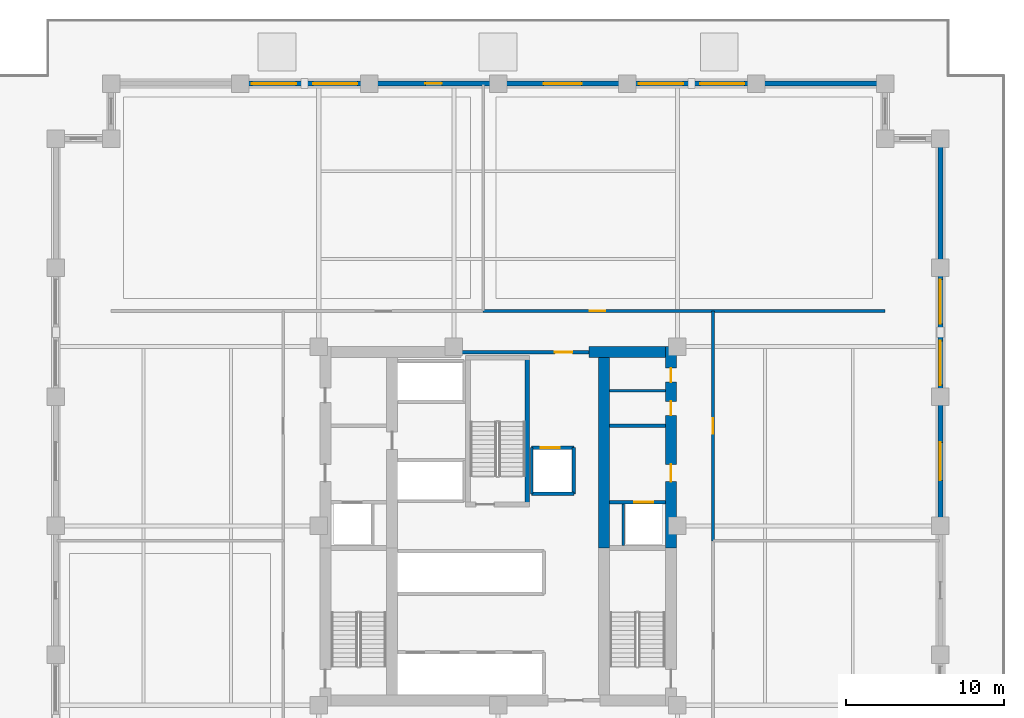
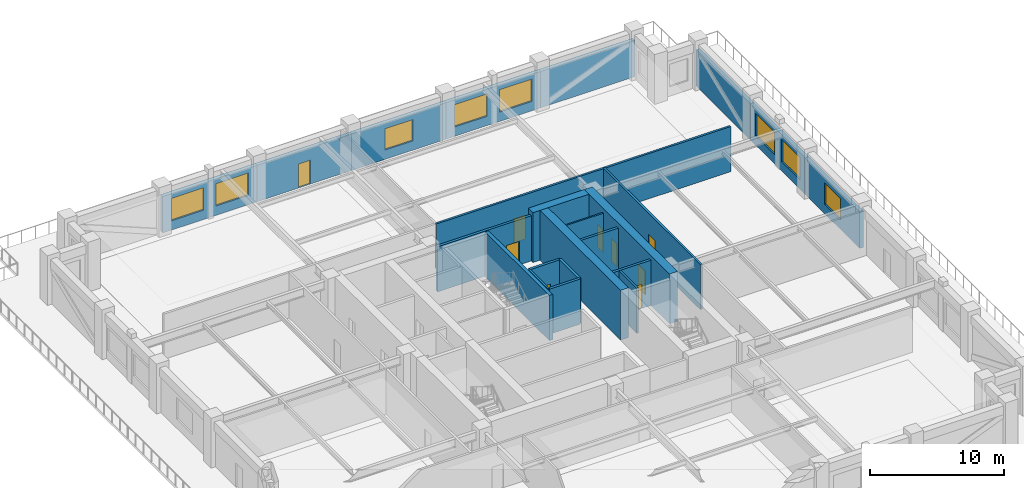
# One storey, part 5 of 13: 23 walls, 9 doors, 8 windows, 17 openings.
"""IFC4 building model written with IfcOpenShell, lengths in metres."""

from ifc_helpers import new_model, si_unit, direction, frame, frame_2d, origin, place, context, subcontext, project, spatial, rectangle, extrude, material, layer, layer_set, type_object, element, fill, save


model = new_model("IFC4")

# Units and contexts
model_context = context("Model", 3, precision=1e-05, world=origin(), true_north=direction((0.0, 1.0)))
body_context = subcontext(model_context, "Body", "Model", "MODEL_VIEW")
ifc_project = project(units=[si_unit("LENGTHUNIT", "METRE"), si_unit("AREAUNIT", "SQUARE_METRE"), si_unit("VOLUMEUNIT", "CUBIC_METRE"), si_unit("PLANEANGLEUNIT", "RADIAN"), si_unit("MASSUNIT", "GRAM", prefix="KILO")], contexts=[model_context])

# Site, building, storey
site_placement = place(None, origin())
site = spatial("IfcSite", under=ifc_project, at=site_placement, CompositionType="ELEMENT")
building_placement = place(site_placement, origin())
building = spatial("IfcBuilding", under=site, at=building_placement, Name="Nhamokura Convention Tower", CompositionType="ELEMENT")
storey_placement = place(building_placement, frame((0.0, 0.0, 34.300048828125)))
storey = spatial("IfcBuildingStorey", under=building, at=storey_placement, Name="L06", CompositionType="ELEMENT", Elevation=34.300048828125)

# Wall
ifc_material_1 = material(Name="Moisture-resistant tile-backer partition", Category="masonry")
ifc_layer_1 = layer(ifc_material_1, 0.139892578125)
ifc_layer_set_1 = layer_set([ifc_layer_1], Name="BathroomWetWall_140")
wall_type_1 = type_object("IfcWallType", Name="BathroomWetWall_140", PredefinedType="STANDARD", material=ifc_layer_set_1)
wall_1_placement = place(storey_placement, frame((39.06005859375, 40.550048828125, 0.0), z_axis=(0.0, 0.0, 1.0), x_axis=(1.0, 0.0, 0.0)))
element("IfcWall", 1, at=wall_1_placement, inside=storey, type_object=wall_type_1, Name="L06 Wall INT-L06-CWNE", PredefinedType="STANDARD", context=body_context, shape_type="SweptSolid", body=[
    extrude(rectangle(XDim=3.530029296875, YDim=0.139892578125, at=frame_2d((1.76513671875, 0.0))), origin(), (0.0, 0.0, 1.0), 4.1298828125),
])

# Wall, openings, windows
ifc_material_2 = material(Name="Bronze-pigmented precast concrete C45/55", Category="concrete")
ifc_layer_2 = layer(ifc_material_2, 0.320068359375)
ifc_layer_set_2 = layer_set([ifc_layer_2], Name="BronzePrecastSpandrel_320")
wall_type_2 = type_object("IfcWallType", Name="BronzePrecastSpandrel_320", PredefinedType="USERDEFINED", material=ifc_layer_set_2)
wall_2_placement = place(storey_placement, frame((15.666748046875, 60.0, 0.0), z_axis=(0.0, 0.0, 1.0), x_axis=(1.0, 0.0, 0.0)))
wall_2 = element("IfcWall", 2, at=wall_2_placement, inside=storey, type_object=wall_type_2, Name="L06 Masonry-Frame Wall NORTH 1", ObjectType="SPANDREL_WALL", PredefinedType="USERDEFINED", context=body_context, shape_type="SweptSolid", body=[
    extrude(rectangle(XDim=8.16650390625, YDim=0.320068359375, at=frame_2d((4.083251953125, 0.0))), origin(), (0.0, 0.0, 1.0), 3.329833984375),
])
opening_1_placement = place(wall_2_placement, frame((0.74169921875, 0.0, 0.85009765625)))
opening_1 = element("IfcOpeningElement", 3, at=opening_1_placement, cuts=wall_2, Name="Opening W-04", PredefinedType="OPENING", context=body_context, shape_type="SweptSolid", body=[
    extrude(rectangle(XDim=2.800048828125, YDim=2.050048828125, at=frame_2d((1.39990234375, 1.02490234375))), frame((0.0, 0.169921875, 0.0), z_axis=(0.0, -1.0, 0.0), x_axis=(1.0, 0.0, 0.0)), (0.0, 0.0, 1.0), 0.340087890625),
])
opening_2_placement = place(wall_2_placement, frame((4.625, 0.0, 0.85009765625)))
opening_2 = element("IfcOpeningElement", 4, at=opening_2_placement, cuts=wall_2, Name="Opening W-04", PredefinedType="OPENING", context=body_context, shape_type="SweptSolid", body=[
    extrude(rectangle(XDim=2.800048828125, YDim=2.050048828125, at=frame_2d((1.39990234375, 1.02490234375))), frame((0.0, 0.169921875, 0.0), z_axis=(0.0, -1.0, 0.0), x_axis=(1.0, 0.0, 0.0)), (0.0, 0.0, 1.0), 0.340087890625),
])
ifc_material_3 = material(Name="Solar-control bronze low-E double glass", Category="glass")
window_type_1 = type_object("IfcWindowType", Name="HotelSuiteWindow_2800", PartitioningType="DOUBLE_PANEL_VERTICAL", PredefinedType="WINDOW", material=ifc_material_3)
window_1_placement = place(opening_1_placement, origin())
window_1 = element("IfcWindow", 5, at=window_1_placement, inside=storey, type_object=window_type_1, Name="L06 Facade Window NORTH 1-1", OverallHeight=2.050048828125, OverallWidth=2.800048828125, PartitioningType="SINGLE_PANEL", PredefinedType="WINDOW", context=body_context, shape_type="SweptSolid", body=[
    extrude(rectangle(XDim=2.800048828125, YDim=2.050048828125, at=frame_2d((1.39990234375, 1.02490234375))), frame((0.0, 0.030029296875, 0.0), z_axis=(0.0, -1.0, 0.0), x_axis=(1.0, 0.0, 0.0)), (0.0, 0.0, 1.0), 0.06005859375),
])
fill(opening_1, window_1)
window_2_placement = place(opening_2_placement, origin())
window_2 = element("IfcWindow", 6, at=window_2_placement, inside=storey, type_object=window_type_1, Name="L06 Facade Window NORTH 1-2", OverallHeight=2.050048828125, OverallWidth=2.800048828125, PartitioningType="SINGLE_PANEL", PredefinedType="WINDOW", context=body_context, shape_type="SweptSolid", body=[
    extrude(rectangle(XDim=2.800048828125, YDim=2.050048828125, at=frame_2d((1.39990234375, 1.02490234375))), frame((0.0, 0.030029296875, 0.0), z_axis=(0.0, -1.0, 0.0), x_axis=(1.0, 0.0, 0.0)), (0.0, 0.0, 1.0), 0.06005859375),
])
fill(opening_2, window_2)

# Wall, opening, door
wall_3_placement = place(storey_placement, frame((23.833251953125, 60.0, 0.0), z_axis=(0.0, 0.0, 1.0), x_axis=(1.0, 0.0, 0.0)))
wall_3 = element("IfcWall", 7, at=wall_3_placement, inside=storey, type_object=wall_type_2, Name="L06 Masonry-Frame Wall NORTH 2", ObjectType="SPANDREL_WALL", PredefinedType="USERDEFINED", context=body_context, shape_type="SweptSolid", body=[
    extrude(rectangle(XDim=8.166748046875, YDim=0.320068359375, at=frame_2d((4.08349609375, 0.0))), origin(), (0.0, 0.0, 1.0), 3.329833984375),
])
opening_3_placement = place(wall_3_placement, frame((3.558349609375, 0.0, 0.0)))
opening_3 = element("IfcOpeningElement", 8, at=opening_3_placement, cuts=wall_3, Name="Opening D-06", PredefinedType="OPENING", context=body_context, shape_type="SweptSolid", body=[
    extrude(rectangle(XDim=1.050048828125, YDim=2.199951171875, at=frame_2d((0.52490234375, 1.10009765625))), frame((0.0, 0.169921875, 0.0), z_axis=(0.0, -1.0, 0.0), x_axis=(1.0, 0.0, 0.0)), (0.0, 0.0, 1.0), 0.340087890625),
])
ifc_material_4 = material(Name="Anodised bronze aluminium AA6063-T6", Category="aluminium")
door_type_1 = type_object("IfcDoorType", Name="TerraceAccessDoor_1050", OperationType="NOTDEFINED", PredefinedType="DOOR", material=ifc_material_4)
door_1_placement = place(opening_3_placement, origin())
door_1 = element("IfcDoor", 9, at=door_1_placement, inside=storey, type_object=door_type_1, Name="L06 Setback Terrace Access Door NORTH", OperationType="SINGLE_SWING_LEFT", OverallHeight=2.199951171875, OverallWidth=1.050048828125, PredefinedType="DOOR", context=body_context, shape_type="SweptSolid", body=[
    extrude(rectangle(XDim=1.050048828125, YDim=2.199951171875, at=frame_2d((0.52490234375, 1.10009765625))), frame((0.0, 0.02490234375, 0.0), z_axis=(0.0, -1.0, 0.0), x_axis=(1.0, 0.0, 0.0)), (0.0, 0.0, 1.0), 0.050048828125),
])
fill(opening_3, door_1)

# Wall, opening, window
wall_4_placement = place(storey_placement, frame((32.0, 60.0, 0.0), z_axis=(0.0, 0.0, 1.0), x_axis=(1.0, 0.0, 0.0)))
wall_4 = element("IfcWall", 10, at=wall_4_placement, inside=storey, type_object=wall_type_2, Name="L06 Masonry-Frame Wall NORTH 3", ObjectType="SPANDREL_WALL", PredefinedType="USERDEFINED", context=body_context, shape_type="SweptSolid", body=[
    extrude(rectangle(XDim=8.166748046875, YDim=0.320068359375, at=frame_2d((4.08349609375, 0.0))), origin(), (0.0, 0.0, 1.0), 3.329833984375),
])
opening_4_placement = place(wall_4_placement, frame((2.88330078125, 0.0, 0.85009765625)))
opening_4 = element("IfcOpeningElement", 11, at=opening_4_placement, cuts=wall_4, Name="Opening W-03", PredefinedType="OPENING", context=body_context, shape_type="SweptSolid", body=[
    extrude(rectangle(XDim=2.39990234375, YDim=1.949951171875, at=frame_2d((1.199951171875, 0.97509765625))), frame((0.0, 0.169921875, 0.0), z_axis=(0.0, -1.0, 0.0), x_axis=(1.0, 0.0, 0.0)), (0.0, 0.0, 1.0), 0.340087890625),
])
ifc_material_5 = material(Name="Solar-control bronze low-E double glass", Category="glass")
window_type_2 = type_object("IfcWindowType", Name="HotelBayWindow_2400", PartitioningType="DOUBLE_PANEL_VERTICAL", PredefinedType="WINDOW", material=ifc_material_5)
window_3_placement = place(opening_4_placement, origin())
window_3 = element("IfcWindow", 12, at=window_3_placement, inside=storey, type_object=window_type_2, Name="L06 Facade Window NORTH 3", OverallHeight=1.949951171875, OverallWidth=2.39990234375, PartitioningType="SINGLE_PANEL", PredefinedType="WINDOW", context=body_context, shape_type="SweptSolid", body=[
    extrude(rectangle(XDim=2.39990234375, YDim=1.949951171875, at=frame_2d((1.199951171875, 0.97509765625))), frame((0.0, 0.030029296875, 0.0), z_axis=(0.0, -1.0, 0.0), x_axis=(1.0, 0.0, 0.0)), (0.0, 0.0, 1.0), 0.06005859375),
])
fill(opening_4, window_3)

# Wall, openings, windows
wall_5_placement = place(storey_placement, frame((40.166748046875, 60.0, 0.0), z_axis=(0.0, 0.0, 1.0), x_axis=(1.0, 0.0, 0.0)))
wall_5 = element("IfcWall", 13, at=wall_5_placement, inside=storey, type_object=wall_type_2, Name="L06 Masonry-Frame Wall NORTH 4", ObjectType="SPANDREL_WALL", PredefinedType="USERDEFINED", context=body_context, shape_type="SweptSolid", body=[
    extrude(rectangle(XDim=8.16650390625, YDim=0.320068359375, at=frame_2d((4.083251953125, 0.0))), origin(), (0.0, 0.0, 1.0), 3.329833984375),
])
opening_5_placement = place(wall_5_placement, frame((0.74169921875, 0.0, 0.85009765625)))
opening_5 = element("IfcOpeningElement", 14, at=opening_5_placement, cuts=wall_5, Name="Opening W-04", PredefinedType="OPENING", context=body_context, shape_type="SweptSolid", body=[
    extrude(rectangle(XDim=2.800048828125, YDim=2.050048828125, at=frame_2d((1.39990234375, 1.02490234375))), frame((0.0, 0.169921875, 0.0), z_axis=(0.0, -1.0, 0.0), x_axis=(1.0, 0.0, 0.0)), (0.0, 0.0, 1.0), 0.340087890625),
])
opening_6_placement = place(wall_5_placement, frame((4.625, 0.0, 0.85009765625)))
opening_6 = element("IfcOpeningElement", 15, at=opening_6_placement, cuts=wall_5, Name="Opening W-04", PredefinedType="OPENING", context=body_context, shape_type="SweptSolid", body=[
    extrude(rectangle(XDim=2.800048828125, YDim=2.050048828125, at=frame_2d((1.39990234375, 1.02490234375))), frame((0.0, 0.169921875, 0.0), z_axis=(0.0, -1.0, 0.0), x_axis=(1.0, 0.0, 0.0)), (0.0, 0.0, 1.0), 0.340087890625),
])
window_4_placement = place(opening_5_placement, origin())
window_4 = element("IfcWindow", 16, at=window_4_placement, inside=storey, type_object=window_type_1, Name="L06 Facade Window NORTH 4-1", OverallHeight=2.050048828125, OverallWidth=2.800048828125, PartitioningType="SINGLE_PANEL", PredefinedType="WINDOW", context=body_context, shape_type="SweptSolid", body=[
    extrude(rectangle(XDim=2.800048828125, YDim=2.050048828125, at=frame_2d((1.39990234375, 1.02490234375))), frame((0.0, 0.030029296875, 0.0), z_axis=(0.0, -1.0, 0.0), x_axis=(1.0, 0.0, 0.0)), (0.0, 0.0, 1.0), 0.06005859375),
])
fill(opening_5, window_4)
window_5_placement = place(opening_6_placement, origin())
window_5 = element("IfcWindow", 17, at=window_5_placement, inside=storey, type_object=window_type_1, Name="L06 Facade Window NORTH 4-2", OverallHeight=2.050048828125, OverallWidth=2.800048828125, PartitioningType="SINGLE_PANEL", PredefinedType="WINDOW", context=body_context, shape_type="SweptSolid", body=[
    extrude(rectangle(XDim=2.800048828125, YDim=2.050048828125, at=frame_2d((1.39990234375, 1.02490234375))), frame((0.0, 0.030029296875, 0.0), z_axis=(0.0, -1.0, 0.0), x_axis=(1.0, 0.0, 0.0)), (0.0, 0.0, 1.0), 0.06005859375),
])
fill(opening_6, window_5)

# Wall
wall_6_placement = place(storey_placement, frame((48.333251953125, 60.0, 0.0), z_axis=(0.0, 0.0, 1.0), x_axis=(1.0, 0.0, 0.0)))
element("IfcWall", 18, at=wall_6_placement, inside=storey, type_object=wall_type_2, Name="L06 Braced-Bay Precast Wall NORTH 5", ObjectType="SPANDREL_WALL", PredefinedType="USERDEFINED", context=body_context, shape_type="SweptSolid", body=[
    extrude(rectangle(XDim=8.166748046875, YDim=0.320068359375, at=frame_2d((4.08349609375, 0.0))), origin(), (0.0, 0.0, 1.0), 3.329833984375),
])

# Wall, opening, window
wall_7_placement = place(storey_placement, frame((60.0, 40.166748046875, 0.0), z_axis=(0.0, 0.0, 1.0), x_axis=(0.0, -1.0, 0.0)))
wall_7 = element("IfcWall", 19, at=wall_7_placement, inside=storey, type_object=wall_type_2, Name="L06 Masonry-Frame Wall EAST 3", ObjectType="SPANDREL_WALL", PredefinedType="USERDEFINED", context=body_context, shape_type="SweptSolid", body=[
    extrude(rectangle(XDim=8.166748046875, YDim=0.320068359375, at=frame_2d((4.08349609375, 0.0))), origin(), (0.0, 0.0, 1.0), 3.329833984375),
])
opening_7_placement = place(wall_7_placement, frame((2.88330078125, 0.0, 0.85009765625)))
opening_7 = element("IfcOpeningElement", 20, at=opening_7_placement, cuts=wall_7, Name="Opening W-03", PredefinedType="OPENING", context=body_context, shape_type="SweptSolid", body=[
    extrude(rectangle(XDim=2.39990234375, YDim=1.949951171875, at=frame_2d((1.199951171875, 0.97509765625))), frame((0.0, 0.169921875, 0.0), z_axis=(0.0, -1.0, 0.0), x_axis=(1.0, 0.0, 0.0)), (0.0, 0.0, 1.0), 0.340087890625),
])
window_6_placement = place(opening_7_placement, origin())
window_6 = element("IfcWindow", 21, at=window_6_placement, inside=storey, type_object=window_type_2, Name="L06 Facade Window EAST 3", OverallHeight=1.949951171875, OverallWidth=2.39990234375, PartitioningType="SINGLE_PANEL", PredefinedType="WINDOW", context=body_context, shape_type="SweptSolid", body=[
    extrude(rectangle(XDim=2.39990234375, YDim=1.949951171875, at=frame_2d((1.199951171875, 0.97509765625))), frame((0.0, 0.030029296875, 0.0), z_axis=(0.0, -1.0, 0.0), x_axis=(1.0, 0.0, 0.0)), (0.0, 0.0, 1.0), 0.06005859375),
])
fill(opening_7, window_6)

# Wall, openings, windows
wall_8_placement = place(storey_placement, frame((60.0, 48.333251953125, 0.0), z_axis=(0.0, 0.0, 1.0), x_axis=(0.0, -1.0, 0.0)))
wall_8 = element("IfcWall", 22, at=wall_8_placement, inside=storey, type_object=wall_type_2, Name="L06 Masonry-Frame Wall EAST 4", ObjectType="SPANDREL_WALL", PredefinedType="USERDEFINED", context=body_context, shape_type="SweptSolid", body=[
    extrude(rectangle(XDim=8.16650390625, YDim=0.320068359375, at=frame_2d((4.083251953125, 0.0))), origin(), (0.0, 0.0, 1.0), 3.329833984375),
])
opening_8_placement = place(wall_8_placement, frame((0.74169921875, 0.0, 0.85009765625)))
opening_8 = element("IfcOpeningElement", 23, at=opening_8_placement, cuts=wall_8, Name="Opening W-04", PredefinedType="OPENING", context=body_context, shape_type="SweptSolid", body=[
    extrude(rectangle(XDim=2.800048828125, YDim=2.050048828125, at=frame_2d((1.39990234375, 1.02490234375))), frame((0.0, 0.169921875, 0.0), z_axis=(0.0, -1.0, 0.0), x_axis=(1.0, 0.0, 0.0)), (0.0, 0.0, 1.0), 0.340087890625),
])
opening_9_placement = place(wall_8_placement, frame((4.625, 0.0, 0.85009765625)))
opening_9 = element("IfcOpeningElement", 24, at=opening_9_placement, cuts=wall_8, Name="Opening W-04", PredefinedType="OPENING", context=body_context, shape_type="SweptSolid", body=[
    extrude(rectangle(XDim=2.800048828125, YDim=2.050048828125, at=frame_2d((1.39990234375, 1.02490234375))), frame((0.0, 0.169921875, 0.0), z_axis=(0.0, -1.0, 0.0), x_axis=(1.0, 0.0, 0.0)), (0.0, 0.0, 1.0), 0.340087890625),
])
window_7_placement = place(opening_8_placement, origin())
window_7 = element("IfcWindow", 25, at=window_7_placement, inside=storey, type_object=window_type_1, Name="L06 Facade Window EAST 4-1", OverallHeight=2.050048828125, OverallWidth=2.800048828125, PartitioningType="SINGLE_PANEL", PredefinedType="WINDOW", context=body_context, shape_type="SweptSolid", body=[
    extrude(rectangle(XDim=2.800048828125, YDim=2.050048828125, at=frame_2d((1.39990234375, 1.02490234375))), frame((0.0, 0.030029296875, 0.0), z_axis=(0.0, -1.0, 0.0), x_axis=(1.0, 0.0, 0.0)), (0.0, 0.0, 1.0), 0.06005859375),
])
fill(opening_8, window_7)
window_8_placement = place(opening_9_placement, origin())
window_8 = element("IfcWindow", 26, at=window_8_placement, inside=storey, type_object=window_type_1, Name="L06 Facade Window EAST 4-2", OverallHeight=2.050048828125, OverallWidth=2.800048828125, PartitioningType="SINGLE_PANEL", PredefinedType="WINDOW", context=body_context, shape_type="SweptSolid", body=[
    extrude(rectangle(XDim=2.800048828125, YDim=2.050048828125, at=frame_2d((1.39990234375, 1.02490234375))), frame((0.0, 0.030029296875, 0.0), z_axis=(0.0, -1.0, 0.0), x_axis=(1.0, 0.0, 0.0)), (0.0, 0.0, 1.0), 0.06005859375),
])
fill(opening_9, window_8)

# Wall
wall_9_placement = place(storey_placement, frame((60.0, 56.5, 0.0), z_axis=(0.0, 0.0, 1.0), x_axis=(0.0, -1.0, 0.0)))
element("IfcWall", 27, at=wall_9_placement, inside=storey, type_object=wall_type_2, Name="L06 Braced-Bay Precast Wall EAST 5", ObjectType="SPANDREL_WALL", PredefinedType="USERDEFINED", context=body_context, shape_type="SweptSolid", body=[
    extrude(rectangle(XDim=8.166748046875, YDim=0.320068359375, at=frame_2d((4.08349609375, 0.0))), origin(), (0.0, 0.0, 1.0), 3.329833984375),
])

# Wall, openings, doors
ifc_material_6 = material(Name="Concrete C70/85", Category="concrete")
ifc_layer_3 = layer(ifc_material_6, 0.699951171875)
ifc_layer_set_3 = layer_set([ifc_layer_3], Name="CoreShearWall_700")
wall_type_3 = type_object("IfcWallType", Name="CoreShearWall_700", PredefinedType="SHEAR", material=ifc_layer_set_3)
wall_10_placement = place(storey_placement, frame((42.93994140625, 30.60009765625, 0.0), z_axis=(0.0, 0.0, 1.0), x_axis=(0.0, 1.0, 0.0)))
wall_10 = element("IfcWall", 28, at=wall_10_placement, inside=storey, type_object=wall_type_3, Name="L06 Core Shear Wall CW-EN", PredefinedType="SHEAR", context=body_context, shape_type="SweptSolid", body=[
    extrude(rectangle(XDim=12.75, YDim=0.699951171875, at=frame_2d((6.375, 0.0))), origin(), (0.0, 0.0, 1.0), 4.550048828125),
])
opening_10_placement = place(wall_10_placement, frame((4.199951171875, 0.0, 0.0)))
opening_10 = element("IfcOpeningElement", 29, at=opening_10_placement, cuts=wall_10, Name="Opening D-05", PredefinedType="OPENING", context=body_context, shape_type="SweptSolid", body=[
    extrude(rectangle(XDim=1.10009765625, YDim=2.14990234375, at=frame_2d((0.550048828125, 1.074951171875))), frame((0.0, 0.35986328125, 0.0), z_axis=(0.0, -1.0, 0.0), x_axis=(1.0, 0.0, 0.0)), (0.0, 0.0, 1.0), 0.719970703125),
])
opening_11_placement = place(wall_10_placement, frame((8.39990234375, 0.0, 0.0)))
opening_11 = element("IfcOpeningElement", 30, at=opening_11_placement, cuts=wall_10, Name="Opening D-11", PredefinedType="OPENING", context=body_context, shape_type="SweptSolid", body=[
    extrude(rectangle(XDim=0.8798828125, YDim=2.10009765625, at=frame_2d((0.43994140625, 1.050048828125))), frame((0.0, 0.35986328125, 0.0), z_axis=(0.0, -1.0, 0.0), x_axis=(1.0, 0.0, 0.0)), (0.0, 0.0, 1.0), 0.719970703125),
])
opening_12_placement = place(wall_10_placement, frame((10.5, 0.0, 0.0)))
opening_12 = element("IfcOpeningElement", 31, at=opening_12_placement, cuts=wall_10, Name="Opening D-11", PredefinedType="OPENING", context=body_context, shape_type="SweptSolid", body=[
    extrude(rectangle(XDim=0.8798828125, YDim=2.10009765625, at=frame_2d((0.43994140625, 1.050048828125))), frame((0.0, 0.35986328125, 0.0), z_axis=(0.0, -1.0, 0.0), x_axis=(1.0, 0.0, 0.0)), (0.0, 0.0, 1.0), 0.719970703125),
])
ifc_material_7 = material(Name="Solid oak hardwood", Category="wood")
door_type_2 = type_object("IfcDoorType", Name="BathroomDoor_880", OperationType="NOTDEFINED", PredefinedType="DOOR", material=ifc_material_7)
door_2_placement = place(opening_11_placement, origin())
door_2 = element("IfcDoor", 32, at=door_2_placement, inside=storey, type_object=door_type_2, Name="L06 Core Door INT-L06-D-MWC", OperationType="SINGLE_SWING_RIGHT", OverallHeight=2.10009765625, OverallWidth=0.8798828125, PredefinedType="DOOR", context=body_context, shape_type="SweptSolid", body=[
    extrude(rectangle(XDim=0.8798828125, YDim=2.10009765625, at=frame_2d((0.43994140625, 1.050048828125))), frame((0.0, 0.02490234375, 0.0), z_axis=(0.0, -1.0, 0.0), x_axis=(1.0, 0.0, 0.0)), (0.0, 0.0, 1.0), 0.050048828125),
])
fill(opening_11, door_2)
door_3_placement = place(opening_12_placement, origin())
door_3 = element("IfcDoor", 33, at=door_3_placement, inside=storey, type_object=door_type_2, Name="L06 Core Door INT-L06-D-FWC", OperationType="SINGLE_SWING_LEFT", OverallHeight=2.10009765625, OverallWidth=0.8798828125, PredefinedType="DOOR", context=body_context, shape_type="SweptSolid", body=[
    extrude(rectangle(XDim=0.8798828125, YDim=2.10009765625, at=frame_2d((0.43994140625, 1.050048828125))), frame((0.0, 0.02490234375, 0.0), z_axis=(0.0, -1.0, 0.0), x_axis=(1.0, 0.0, 0.0)), (0.0, 0.0, 1.0), 0.050048828125),
])
fill(opening_12, door_3)
ifc_material_8 = material(Name="Fire-rated steel door", Category="steel")
door_type_3 = type_object("IfcDoorType", Name="FireLobbyDoor_1100", OperationType="NOTDEFINED", PredefinedType="DOOR", material=ifc_material_8)
door_4_placement = place(opening_10_placement, origin())
door_4 = element("IfcDoor", 34, at=door_4_placement, inside=storey, type_object=door_type_3, Name="L06 Core Door INT-L06-D-FFLE", OperationType="SINGLE_SWING_LEFT", OverallHeight=2.14990234375, OverallWidth=1.10009765625, PredefinedType="DOOR", context=body_context, shape_type="SweptSolid", body=[
    extrude(rectangle(XDim=1.10009765625, YDim=2.14990234375, at=frame_2d((0.550048828125, 1.074951171875))), frame((0.0, 0.02490234375, 0.0), z_axis=(0.0, -1.0, 0.0), x_axis=(1.0, 0.0, 0.0)), (0.0, 0.0, 1.0), 0.050048828125),
])
fill(opening_10, door_4)

# Walls
wall_11_placement = place(storey_placement, frame((37.75, 43.0, 0.0), z_axis=(0.0, 0.0, 1.0), x_axis=(1.0, 0.0, 0.0)))
element("IfcWall", 35, at=wall_11_placement, inside=storey, type_object=wall_type_3, Name="L06 Core Shear Wall CW-N2", PredefinedType="SHEAR", context=body_context, shape_type="SweptSolid", body=[
    extrude(rectangle(XDim=4.840087890625, YDim=0.699951171875, at=frame_2d((2.419921875, 0.0))), origin(), (0.0, 0.0, 1.0), 4.550048828125),
])
wall_12_placement = place(storey_placement, frame((38.7099609375, 30.60009765625, 0.0), z_axis=(0.0, 0.0, 1.0), x_axis=(0.0, 1.0, 0.0)))
element("IfcWall", 36, at=wall_12_placement, inside=storey, type_object=wall_type_3, Name="L06 Core Shear Wall CW-IEN", PredefinedType="SHEAR", context=body_context, shape_type="SweptSolid", body=[
    extrude(rectangle(XDim=12.0498046875, YDim=0.699951171875, at=frame_2d((6.02490234375, 0.0))), origin(), (0.0, 0.0, 1.0), 4.550048828125),
])

# Wall, opening, door
ifc_material_9 = material(Name="Fire-rated gypsum and masonry partition", Category="masonry")
ifc_layer_4 = layer(ifc_material_9, 0.179931640625)
ifc_layer_set_4 = layer_set([ifc_layer_4], Name="CorridorRatedWall_180")
wall_type_4 = type_object("IfcWallType", Name="CorridorRatedWall_180", PredefinedType="STANDARD", material=ifc_layer_set_4)
wall_13_placement = place(storey_placement, frame((31.050048828125, 45.60009765625, 0.0), z_axis=(0.0, 0.0, 1.0), x_axis=(1.0, 0.0, 0.0)))
wall_13 = element("IfcWall", 37, at=wall_13_placement, inside=storey, type_object=wall_type_4, Name="L06 Wall INT-L06-CW-N01", PredefinedType="STANDARD", context=body_context, shape_type="SweptSolid", body=[
    extrude(rectangle(XDim=25.449951171875, YDim=0.179931640625, at=frame_2d((12.72509765625, 0.0))), origin(), (0.0, 0.0, 1.0), 4.1298828125),
])
opening_13_placement = place(wall_13_placement, frame((6.75, 0.0, 0.0)))
opening_13 = element("IfcOpeningElement", 38, at=opening_13_placement, cuts=wall_13, Name="Opening D-08", PredefinedType="OPENING", context=body_context, shape_type="SweptSolid", body=[
    extrude(rectangle(XDim=0.97998046875, YDim=2.199951171875, at=frame_2d((0.489990234375, 1.10009765625))), frame((0.0, 0.099853515625, 0.0), z_axis=(0.0, -1.0, 0.0), x_axis=(1.0, 0.0, 0.0)), (0.0, 0.0, 1.0), 0.199951171875),
])
ifc_material_10 = material(Name="Solid oak hardwood", Category="wood")
door_type_4 = type_object("IfcDoorType", Name="OfficeEntryDoor_980", OperationType="NOTDEFINED", PredefinedType="DOOR", material=ifc_material_10)
door_5_placement = place(opening_13_placement, origin())
door_5 = element("IfcDoor", 39, at=door_5_placement, inside=storey, type_object=door_type_4, Name="L06 Thermal Spa Salon N02 Door", OperationType="SINGLE_SWING_RIGHT", OverallHeight=2.199951171875, OverallWidth=0.97998046875, PredefinedType="DOOR", context=body_context, shape_type="SweptSolid", body=[
    extrude(rectangle(XDim=0.97998046875, YDim=2.199951171875, at=frame_2d((0.489990234375, 1.10009765625))), frame((0.0, 0.02490234375, 0.0), z_axis=(0.0, -1.0, 0.0), x_axis=(1.0, 0.0, 0.0)), (0.0, 0.0, 1.0), 0.050048828125),
])
fill(opening_13, door_5)

wall_14_placement = place(storey_placement, frame((45.60009765625, 31.050048828125, 0.0), z_axis=(0.0, 0.0, 1.0), x_axis=(0.0, 1.0, 0.0)))
wall_14 = element("IfcWall", 40, at=wall_14_placement, inside=storey, type_object=wall_type_4, Name="L06 Wall INT-L06-CW-E01", PredefinedType="STANDARD", context=body_context, shape_type="SweptSolid", body=[
    extrude(rectangle(XDim=14.550048828125, YDim=0.179931640625, at=frame_2d((7.27490234375, 0.0))), origin(), (0.0, 0.0, 1.0), 4.1298828125),
])
opening_14_placement = place(wall_14_placement, frame((6.77490234375, 0.0, 0.0)))
opening_14 = element("IfcOpeningElement", 41, at=opening_14_placement, cuts=wall_14, Name="Opening D-08", PredefinedType="OPENING", context=body_context, shape_type="SweptSolid", body=[
    extrude(rectangle(XDim=0.97998046875, YDim=2.199951171875, at=frame_2d((0.489990234375, 1.10009765625))), frame((0.0, 0.099853515625, 0.0), z_axis=(0.0, -1.0, 0.0), x_axis=(1.0, 0.0, 0.0)), (0.0, 0.0, 1.0), 0.199951171875),
])
door_6_placement = place(opening_14_placement, origin())
door_6 = element("IfcDoor", 42, at=door_6_placement, inside=storey, type_object=door_type_4, Name="L06 Management Office E02 Door", OperationType="SINGLE_SWING_RIGHT", OverallHeight=2.199951171875, OverallWidth=0.97998046875, PredefinedType="DOOR", context=body_context, shape_type="SweptSolid", body=[
    extrude(rectangle(XDim=0.97998046875, YDim=2.199951171875, at=frame_2d((0.489990234375, 1.10009765625))), frame((0.0, 0.02490234375, 0.0), z_axis=(0.0, -1.0, 0.0), x_axis=(1.0, 0.0, 0.0)), (0.0, 0.0, 1.0), 0.050048828125),
])
fill(opening_14, door_6)

ifc_material_11 = material(Name="Autoclaved concrete blockwork", Category="masonry")
ifc_layer_5 = layer(ifc_material_11, 0.219970703125)
ifc_layer_set_5 = layer_set([ifc_layer_5], Name="FireLobbyWall_220")
wall_type_5 = type_object("IfcWallType", Name="FireLobbyWall_220", PredefinedType="STANDARD", material=ifc_layer_set_5)
wall_15_placement = place(storey_placement, frame((39.06005859375, 33.5, 0.0), z_axis=(0.0, 0.0, 1.0), x_axis=(1.0, 0.0, 0.0)))
wall_15 = element("IfcWall", 43, at=wall_15_placement, inside=storey, type_object=wall_type_5, Name="L06 Wall INT-L06-FFE-S", PredefinedType="STANDARD", context=body_context, shape_type="SweptSolid", body=[
    extrude(rectangle(XDim=3.530029296875, YDim=0.219970703125, at=frame_2d((1.76513671875, 0.0))), origin(), (0.0, 0.0, 1.0), 4.1298828125),
])
opening_15_placement = place(wall_15_placement, frame((1.550048828125, 0.0, 0.0)))
opening_15 = element("IfcOpeningElement", 44, at=opening_15_placement, cuts=wall_15, Name="Opening LD-02", PredefinedType="OPENING", context=body_context, shape_type="SweptSolid", body=[
    extrude(rectangle(XDim=1.199951171875, YDim=2.199951171875, at=frame_2d((0.60009765625, 1.10009765625))), frame((0.0, 0.119873046875, 0.0), z_axis=(0.0, -1.0, 0.0), x_axis=(1.0, 0.0, 0.0)), (0.0, 0.0, 1.0), 0.239990234375),
])
ifc_material_12 = material(Name="Anodised bronze stainless steel", Category="steel")
door_type_5 = type_object("IfcDoorType", Name="LiftLandingDoor_FireService", OperationType="DOUBLE_DOOR_SLIDING", PredefinedType="DOOR", material=ifc_material_12)
door_7_placement = place(opening_15_placement, origin())
door_7 = element("IfcDoor", 45, at=door_7_placement, inside=storey, type_object=door_type_5, Name="L06 Firefighting Lift LF-02 Door", OperationType="DOUBLE_DOOR_SLIDING", OverallHeight=2.199951171875, OverallWidth=1.199951171875, PredefinedType="DOOR", context=body_context, shape_type="SweptSolid", body=[
    extrude(rectangle(XDim=1.199951171875, YDim=2.199951171875, at=frame_2d((0.60009765625, 1.10009765625))), frame((0.0, 0.02490234375, 0.0), z_axis=(0.0, -1.0, 0.0), x_axis=(1.0, 0.0, 0.0)), (0.0, 0.0, 1.0), 0.050048828125),
])
fill(opening_15, door_7)

# Wall
wall_16_placement = place(storey_placement, frame((39.06005859375, 38.35009765625, 0.0), z_axis=(0.0, 0.0, 1.0), x_axis=(1.0, 0.0, 0.0)))
element("IfcWall", 46, at=wall_16_placement, inside=storey, type_object=wall_type_5, Name="L06 Wall INT-L06-FFE-N", PredefinedType="STANDARD", context=body_context, shape_type="SweptSolid", body=[
    extrude(rectangle(XDim=3.530029296875, YDim=0.219970703125, at=frame_2d((1.76513671875, 0.0))), origin(), (0.0, 0.0, 1.0), 4.1298828125),
])

# Wall, opening, door
wall_17_placement = place(storey_placement, frame((29.64990234375, 43.0, 0.0), z_axis=(0.0, 0.0, 1.0), x_axis=(1.0, 0.0, 0.0)))
wall_17 = element("IfcWall", 47, at=wall_17_placement, inside=storey, type_object=wall_type_5, Name="L06 Wall INT-L06-CPORT-N", PredefinedType="STANDARD", context=body_context, shape_type="SweptSolid", body=[
    extrude(rectangle(XDim=8.10009765625, YDim=0.219970703125, at=frame_2d((4.050048828125, 0.0))), origin(), (0.0, 0.0, 1.0), 4.1298828125),
])
opening_16_placement = place(wall_17_placement, frame((5.949951171875, 0.0, 0.0)))
opening_16 = element("IfcOpeningElement", 48, at=opening_16_placement, cuts=wall_17, Name="Opening D-05", PredefinedType="OPENING", context=body_context, shape_type="SweptSolid", body=[
    extrude(rectangle(XDim=1.10009765625, YDim=2.14990234375, at=frame_2d((0.550048828125, 1.074951171875))), frame((0.0, 0.119873046875, 0.0), z_axis=(0.0, -1.0, 0.0), x_axis=(1.0, 0.0, 0.0)), (0.0, 0.0, 1.0), 0.239990234375),
])
door_8_placement = place(opening_16_placement, origin())
door_8 = element("IfcDoor", 49, at=door_8_placement, inside=storey, type_object=door_type_3, Name="L06 North Core Lobby Portal Door", OperationType="SINGLE_SWING_RIGHT", OverallHeight=2.14990234375, OverallWidth=1.10009765625, PredefinedType="DOOR", context=body_context, shape_type="SweptSolid", body=[
    extrude(rectangle(XDim=1.10009765625, YDim=2.14990234375, at=frame_2d((0.550048828125, 1.074951171875))), frame((0.0, 0.02490234375, 0.0), z_axis=(0.0, -1.0, 0.0), x_axis=(1.0, 0.0, 0.0)), (0.0, 0.0, 1.0), 0.050048828125),
])
fill(opening_16, door_8)

wall_18_placement = place(storey_placement, frame((34.1201171875, 36.949951171875, 0.0), z_axis=(0.0, 0.0, 1.0), x_axis=(1.0, 0.0, 0.0)))
wall_18 = element("IfcWall", 50, at=wall_18_placement, inside=storey, type_object=wall_type_5, Name="L06 Wall INT-L06-LSN", PredefinedType="STANDARD", context=body_context, shape_type="SweptSolid", body=[
    extrude(rectangle(XDim=2.679931640625, YDim=0.219970703125, at=frame_2d((1.33984375, 0.0))), origin(), (0.0, 0.0, 1.0), 4.1298828125),
])
opening_17_placement = place(wall_18_placement, frame((0.580078125, 0.0, 0.0)))
opening_17 = element("IfcOpeningElement", 51, at=opening_17_placement, cuts=wall_18, Name="Opening LD-02", PredefinedType="OPENING", context=body_context, shape_type="SweptSolid", body=[
    extrude(rectangle(XDim=1.199951171875, YDim=2.199951171875, at=frame_2d((0.60009765625, 1.10009765625))), frame((0.0, 0.119873046875, 0.0), z_axis=(0.0, -1.0, 0.0), x_axis=(1.0, 0.0, 0.0)), (0.0, 0.0, 1.0), 0.239990234375),
])
door_9_placement = place(opening_17_placement, origin())
door_9 = element("IfcDoor", 52, at=door_9_placement, inside=storey, type_object=door_type_5, Name="L06 Service Lift LS-01 Door", OperationType="DOUBLE_DOOR_SLIDING", OverallHeight=2.199951171875, OverallWidth=1.199951171875, PredefinedType="DOOR", context=body_context, shape_type="SweptSolid", body=[
    extrude(rectangle(XDim=1.199951171875, YDim=2.199951171875, at=frame_2d((0.60009765625, 1.10009765625))), frame((0.0, 0.02490234375, 0.0), z_axis=(0.0, -1.0, 0.0), x_axis=(1.0, 0.0, 0.0)), (0.0, 0.0, 1.0), 0.050048828125),
])
fill(opening_17, door_9)

# Walls
wall_19_placement = place(storey_placement, frame((36.800048828125, 34.02001953125, 0.0), z_axis=(0.0, 0.0, 1.0), x_axis=(0.0, 1.0, 0.0)))
element("IfcWall", 53, at=wall_19_placement, inside=storey, type_object=wall_type_5, Name="L06 Wall INT-L06-LSE", PredefinedType="STANDARD", context=body_context, shape_type="SweptSolid", body=[
    extrude(rectangle(XDim=2.929931640625, YDim=0.219970703125, at=frame_2d((1.46484375, 0.0))), origin(), (0.0, 0.0, 1.0), 4.1298828125),
])
wall_20_placement = place(storey_placement, frame((34.1201171875, 34.02001953125, 0.0), z_axis=(0.0, 0.0, 1.0), x_axis=(1.0, 0.0, 0.0)))
element("IfcWall", 54, at=wall_20_placement, inside=storey, type_object=wall_type_5, Name="L06 Wall INT-L06-LSS", PredefinedType="STANDARD", context=body_context, shape_type="SweptSolid", body=[
    extrude(rectangle(XDim=2.679931640625, YDim=0.219970703125, at=frame_2d((1.33984375, 0.0))), origin(), (0.0, 0.0, 1.0), 4.1298828125),
])
ifc_material_13 = material(Name="Acoustic gypsum stud partition", Category="masonry")
ifc_layer_6 = layer(ifc_material_13, 0.14990234375)
ifc_layer_set_6 = layer_set([ifc_layer_6], Name="InteriorPartition_150")
wall_type_6 = type_object("IfcWallType", Name="InteriorPartition_150", PredefinedType="STANDARD", material=ifc_layer_set_6)
wall_21_placement = place(storey_placement, frame((39.919921875, 30.75, 0.0), z_axis=(0.0, 0.0, 1.0), x_axis=(0.0, 1.0, 0.0)))
element("IfcWall", 55, at=wall_21_placement, inside=storey, type_object=wall_type_6, Name="L06 Wall INT-L06-FF2-W", PredefinedType="STANDARD", context=body_context, shape_type="SweptSolid", body=[
    extrude(rectangle(XDim=2.64990234375, YDim=0.14990234375, at=frame_2d((1.324951171875, 0.0))), origin(), (0.0, 0.0, 1.0), 4.1298828125),
])
wall_22_placement = place(storey_placement, frame((34.1201171875, 34.02001953125, 0.0), z_axis=(0.0, 0.0, 1.0), x_axis=(0.0, 1.0, 0.0)))
element("IfcWall", 56, at=wall_22_placement, inside=storey, type_object=wall_type_6, Name="L06 Wall INT-L06-LSW", PredefinedType="STANDARD", context=body_context, shape_type="SweptSolid", body=[
    extrude(rectangle(XDim=2.929931640625, YDim=0.14990234375, at=frame_2d((1.46484375, 0.0))), origin(), (0.0, 0.0, 1.0), 4.1298828125),
])
ifc_material_14 = material(Name="Concrete C50/60", Category="concrete")
ifc_layer_7 = layer(ifc_material_14, 0.300048828125)
ifc_layer_set_7 = layer_set([ifc_layer_7], Name="ShaftEnclosureWall_300")
wall_type_7 = type_object("IfcWallType", Name="ShaftEnclosureWall_300", PredefinedType="SHEAR", material=ifc_layer_set_7)
wall_23_placement = place(storey_placement, frame((33.85009765625, 33.199951171875, 0.0), z_axis=(0.0, 0.0, 1.0), x_axis=(0.0, 1.0, 0.0)))
element("IfcWall", 57, at=wall_23_placement, inside=storey, type_object=wall_type_7, Name="L06 Wall INT-L06-ST03E", PredefinedType="SHEAR", context=body_context, shape_type="SweptSolid", body=[
    extrude(rectangle(XDim=9.60009765625, YDim=0.300048828125, at=frame_2d((4.800048828125, 0.0))), origin(), (0.0, 0.0, 1.0), 4.1298828125),
])

save(model, "model.ifc")
